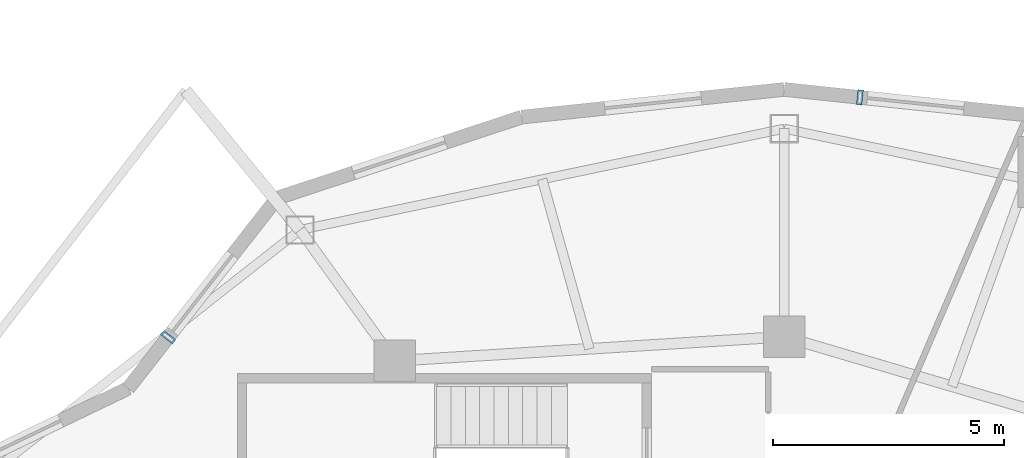
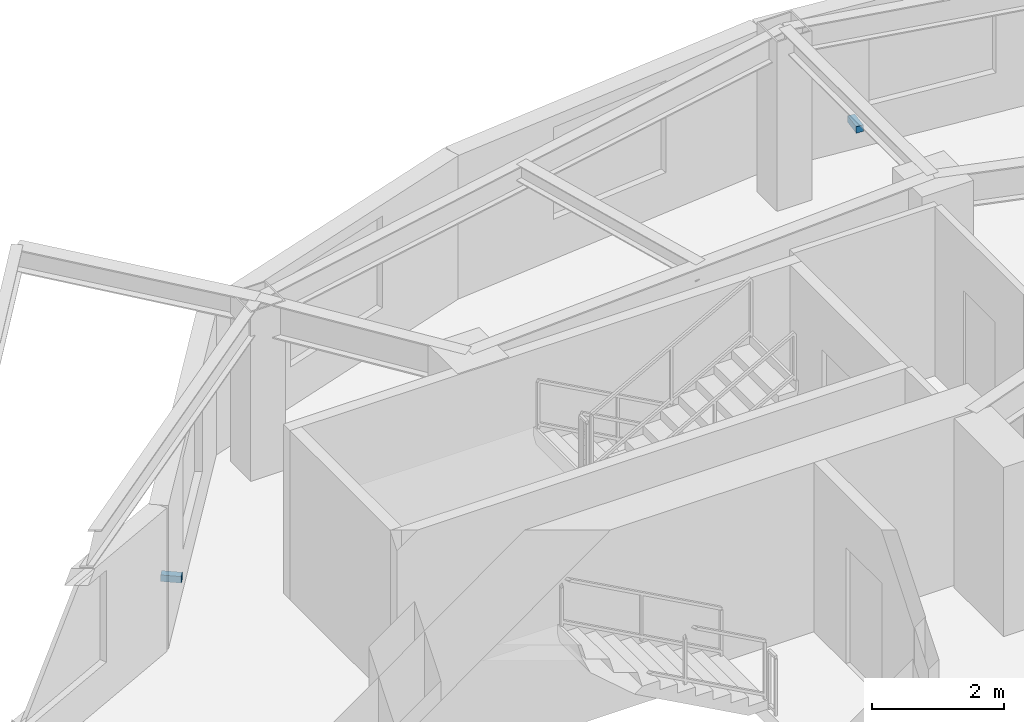
# One storey, part 10 of 13: 2 discrete accessories.
"""IFC4 building model written with IfcOpenShell, lengths in metres."""

from ifc_helpers import new_model, si_unit, direction, frame, origin, origin_2d, place, context, subcontext, project, spatial, rectangle, extrude, material, type_object, element, save


model = new_model("IFC4")

# Units and contexts
model_context = context("Model", 3, precision=1e-05, world=origin(), true_north=direction((0.0, 1.0)))
body_context = subcontext(model_context, "Body", "Model", "MODEL_VIEW")
ifc_project = project(units=[si_unit("LENGTHUNIT", "METRE"), si_unit("AREAUNIT", "SQUARE_METRE"), si_unit("VOLUMEUNIT", "CUBIC_METRE"), si_unit("PLANEANGLEUNIT", "RADIAN"), si_unit("MASSUNIT", "GRAM", prefix="KILO")], contexts=[model_context])

# Site, building, storey
site_placement = place(None, origin())
site = spatial("IfcSite", under=ifc_project, at=site_placement, CompositionType="ELEMENT")
building_placement = place(site_placement, origin())
building = spatial("IfcBuilding", under=site, at=building_placement, Name="Kolvaren Gate Tower and Convention Centre", CompositionType="ELEMENT")
storey_placement = place(building_placement, frame((0.0, 0.0, 166.5)))
storey = spatial("IfcBuildingStorey", under=building, at=storey_placement, Name="L43", CompositionType="ELEMENT", Elevation=166.5)

# Discrete accessories
ifc_material = material(Name="Anodized Architectural Aluminium Alloy 6063-T6", Category="aluminium")
discrete_accessory_type = type_object("IfcDiscreteAccessoryType", Name="ARCH-ACC-BRACKET-120", PredefinedType="BRACKET", material=ifc_material)
for number, where, z_axis, x_axis, name in (
    (1, (31.760986328125, 44.377685546875, 0.2900390625), (0.0, 0.0, 1.0), (0.994499249941, -0.104743696069, 0.0), "Ceramic Fin Wall Anchor Bracket FBK-L43-05"),
    (2, (16.80078125, 39.18994140625, 0.2900390625), (0.0, 0.0, 1.0), (0.616446487588, 0.787396804629, 0.0), "Ceramic Fin Wall Anchor Bracket FBK-L43-08"),
):
    element("IfcDiscreteAccessory", number, at=place(storey_placement, frame(where, z_axis=z_axis, x_axis=x_axis)), inside=storey, type_object=discrete_accessory_type, Name=name, PredefinedType="BRACKET", context=body_context, shape_type="SweptSolid", body=[
        extrude(rectangle(XDim=0.1201171875, YDim=0.320068359375, at=origin_2d()), origin(), (0.0, 0.0, 1.0), 0.1201171875),
    ])

save(model, "model.ifc")
